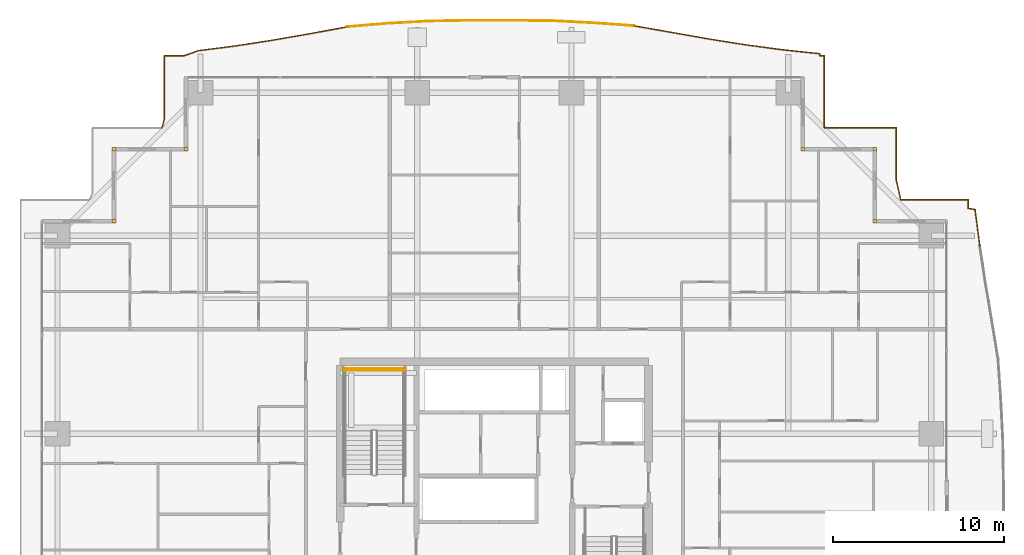
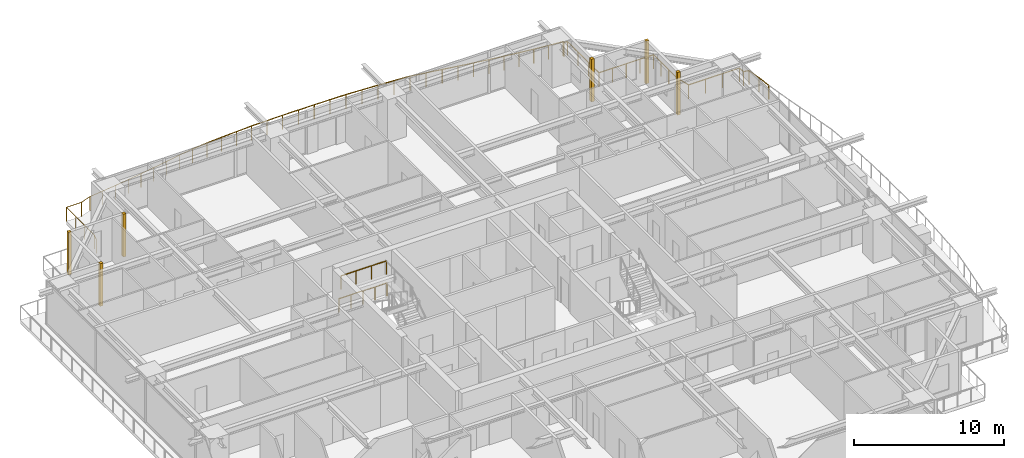
# One storey, part 37 of 37: 6 coverings, 6 railings.
"""IFC4 building model written with IfcOpenShell, lengths in metres."""

from ifc_helpers import new_model, si_unit, direction, frame, origin, origin_2d, place, context, subcontext, project, spatial, rectangle, circle, extrude, source, transform, mapped, material, layer, layer_set, type_object, element, save


model = new_model("IFC4")

# Units and contexts
model_context = context("Model", 3, precision=1e-05, world=origin(), true_north=direction((0.0, 1.0)))
body_context = subcontext(model_context, "Body", "Model", "MODEL_VIEW")
ifc_project = project(units=[si_unit("LENGTHUNIT", "METRE"), si_unit("AREAUNIT", "SQUARE_METRE"), si_unit("VOLUMEUNIT", "CUBIC_METRE"), si_unit("PLANEANGLEUNIT", "RADIAN"), si_unit("MASSUNIT", "GRAM", prefix="KILO")], contexts=[model_context])

# Site, building, storey
site_placement = place(None, origin())
site = spatial("IfcSite", under=ifc_project, at=site_placement, CompositionType="ELEMENT")
building_placement = place(site_placement, origin())
building = spatial("IfcBuilding", under=site, at=building_placement, Name="Serunith Strait Residences", CompositionType="ELEMENT")
storey_placement = place(building_placement, frame((0.0, 0.0, 34.199951171875)))
storey = spatial("IfcBuildingStorey", under=building, at=storey_placement, Name="L07", CompositionType="ELEMENT", Elevation=34.199951171875)

# Railings
ifc_material_1 = material(Name="Stainless Steel & Laminated Glass Balustrade", Category="steel")
railing_type_1 = type_object("IfcRailingType", Name="RLG-BALC-1150", PredefinedType="BALUSTRADE", material=ifc_material_1)
railing_1_placement = place(storey_placement, frame((13.00341796875, 47.260009765625, -0.050048828125)))
element("IfcRailing", 1, at=railing_1_placement, inside=storey, type_object=railing_type_1, Name="L07 Swirling Balcony Perimeter Balustrade 1", PredefinedType="BALUSTRADE", context=body_context, shape_type="SweptSolid", body=[
    extrude(circle(Radius=0.02392578125, at=origin_2d()), frame((0.00048828125, 0.001953125, 1.1259765625), z_axis=(0.256207487761, 0.966621809818, 0.0), x_axis=(-0.966621809818, 0.256207487761, 0.0)), (0.0, 0.0, 1.0), 0.528564453125),
    extrude(circle(Radius=0.02392578125, at=origin_2d()), frame((0.136474609375, 0.516845703125, 1.1259765625), z_axis=(0.0, 1.0, 0.0), x_axis=(-1.0, 0.0, 0.0)), (0.0, 0.0, 1.0), 3.68115234375),
    extrude(circle(Radius=0.02392578125, at=origin_2d()), frame((0.138427734375, 4.199951171875, 1.1259765625), z_axis=(1.0, 0.0, 0.0), x_axis=(0.0, 1.0, 0.0)), (0.0, 0.0, 1.0), 1.151123046875),
    extrude(circle(Radius=0.02392578125, at=origin_2d()), frame((1.29345703125, 4.20068359375, 1.1259765625), z_axis=(0.941439410602, 0.337182200251, 0.0), x_axis=(-0.337182200251, 0.941439410602, 0.0)), (0.0, 0.0, 1.0), 0.87353515625),
    extrude(circle(Radius=0.02392578125, at=origin_2d()), frame((2.11962890625, 4.49609375, 1.1259765625), z_axis=(0.992003367835, 0.126211402833, 0.0), x_axis=(-0.126211402833, 0.992003367835, 0.0)), (0.0, 0.0, 1.0), 2.135498046875),
    extrude(circle(Radius=0.02392578125, at=origin_2d()), frame((4.241943359375, 4.76611328125, 1.1259765625), z_axis=(0.988384727456, 0.151972466364, 0.0), x_axis=(-0.151972466364, 0.988384727456, 0.0)), (0.0, 0.0, 1.0), 2.16162109375),
    extrude(circle(Radius=0.02392578125, at=origin_2d()), frame((6.38232421875, 5.09521484375, 1.1259765625), z_axis=(0.985107764797, 0.171938046217, 0.0), x_axis=(-0.171938046217, 0.985107764797, 0.0)), (0.0, 0.0, 1.0), 2.205322265625),
    extrude(circle(Radius=0.02392578125, at=origin_2d()), frame((8.558837890625, 5.47509765625, 1.1259765625), z_axis=(0.983840647341, 0.179046308648, 0.0), x_axis=(-0.179046308648, 0.983840647341, 0.0)), (0.0, 0.0, 1.0), 2.266357421875),
    extrude(circle(Radius=0.02099609375, at=origin_2d()), origin(), (0.0, 0.0, 1.0), 1.099853515625),
    extrude(circle(Radius=0.02099609375, at=origin_2d()), frame((0.136474609375, 0.514892578125, 0.0)), (0.0, 0.0, 1.0), 1.099853515625),
    extrude(circle(Radius=0.02099609375, at=origin_2d()), frame((0.136474609375, 1.7431640625, 0.0)), (0.0, 0.0, 1.0), 1.099853515625),
    extrude(circle(Radius=0.02099609375, at=origin_2d()), frame((0.136474609375, 2.9716796875, 0.0)), (0.0, 0.0, 1.0), 1.099853515625),
    extrude(circle(Radius=0.02099609375, at=origin_2d()), frame((0.136474609375, 4.199951171875, 0.0)), (0.0, 0.0, 1.0), 1.099853515625),
    extrude(circle(Radius=0.02099609375, at=origin_2d()), frame((1.29150390625, 4.199951171875, 0.0)), (0.0, 0.0, 1.0), 1.099853515625),
    extrude(circle(Radius=0.02099609375, at=origin_2d()), frame((2.11767578125, 4.495849609375, 0.0)), (0.0, 0.0, 1.0), 1.099853515625),
    extrude(circle(Radius=0.02099609375, at=origin_2d()), frame((3.1787109375, 4.630859375, 0.0)), (0.0, 0.0, 1.0), 1.099853515625),
    extrude(circle(Radius=0.02099609375, at=origin_2d()), frame((4.239990234375, 4.765869140625, 0.0)), (0.0, 0.0, 1.0), 1.099853515625),
    extrude(circle(Radius=0.02099609375, at=origin_2d()), frame((5.31005859375, 4.930419921875, 0.0)), (0.0, 0.0, 1.0), 1.099853515625),
    extrude(circle(Radius=0.02099609375, at=origin_2d()), frame((6.38037109375, 5.094970703125, 0.0)), (0.0, 0.0, 1.0), 1.099853515625),
    extrude(circle(Radius=0.02099609375, at=origin_2d()), frame((7.46875, 5.284912109375, 0.0)), (0.0, 0.0, 1.0), 1.099853515625),
    extrude(circle(Radius=0.02099609375, at=origin_2d()), frame((8.556884765625, 5.474853515625, 0.0)), (0.0, 0.0, 1.0), 1.099853515625),
    extrude(circle(Radius=0.02099609375, at=origin_2d()), frame((9.673828125, 5.67822265625, 0.0)), (0.0, 0.0, 1.0), 1.099853515625),
    extrude(circle(Radius=0.02099609375, at=origin_2d()), frame((10.79052734375, 5.88134765625, 0.0)), (0.0, 0.0, 1.0), 1.099853515625),
])
railing_2_placement = place(storey_placement, frame((23.7939453125, 53.141357421875, -0.050048828125)))
element("IfcRailing", 2, at=railing_2_placement, inside=storey, type_object=railing_type_1, Name="L07 Swirling Balcony Perimeter Balustrade 2", PredefinedType="BALUSTRADE", context=body_context, shape_type="SweptSolid", body=[
    extrude(circle(Radius=0.02392578125, at=origin_2d()), frame((0.001953125, 0.000244140625, 1.1259765625), z_axis=(0.996370776715, 0.085119182962, 0.0), x_axis=(-0.085119182962, 0.996370776715, 0.0)), (0.0, 0.0, 1.0), 2.353759765625),
    extrude(circle(Radius=0.02392578125, at=origin_2d()), frame((2.35107421875, 0.20068359375, 1.1259765625), z_axis=(0.998480038069, 0.055114549597, 0.0), x_axis=(-0.055114549597, 0.998480038069, 0.0)), (0.0, 0.0, 1.0), 2.392578125),
    extrude(circle(Radius=0.02392578125, at=origin_2d()), frame((4.743896484375, 0.332763671875, 1.1259765625), z_axis=(0.999819958859, 0.018974980039, 0.0), x_axis=(-0.018974980039, 0.999819958859, 0.0)), (0.0, 0.0, 1.0), 2.414794921875),
    extrude(circle(Radius=0.02392578125, at=origin_2d()), frame((7.162353515625, 0.378662109375, 1.1259765625), z_axis=(1.0, 0.0, 0.0), x_axis=(0.0, 1.0, 0.0)), (0.0, 0.0, 1.0), 2.4248046875),
    extrude(circle(Radius=0.02392578125, at=origin_2d()), frame((9.591064453125, 0.378662109375, 1.1259765625), z_axis=(0.999937390621, -0.011189943579, 0.0), x_axis=(0.011189943579, 0.999937390621, 0.0)), (0.0, 0.0, 1.0), 2.417724609375),
    extrude(circle(Radius=0.02392578125, at=origin_2d()), frame((12.0126953125, 0.3515625, 1.1259765625), z_axis=(0.998712476955, -0.050728575529, 0.0), x_axis=(0.050728575529, 0.998712476955, 0.0)), (0.0, 0.0, 1.0), 2.3974609375),
    extrude(circle(Radius=0.02392578125, at=origin_2d()), frame((14.4111328125, 0.2294921875, 1.1259765625), z_axis=(0.997456608021, -0.07127632928, 0.0), x_axis=(0.07127632928, 0.997456608021, 0.0)), (0.0, 0.0, 1.0), 2.3662109375),
    extrude(circle(Radius=0.02099609375, at=origin_2d()), origin(), (0.0, 0.0, 1.0), 1.099853515625),
    extrude(circle(Radius=0.02099609375, at=origin_2d()), frame((1.174560546875, 0.100341796875, 0.0)), (0.0, 0.0, 1.0), 1.099853515625),
    extrude(circle(Radius=0.02099609375, at=origin_2d()), frame((2.34912109375, 0.20068359375, 0.0)), (0.0, 0.0, 1.0), 1.099853515625),
    extrude(circle(Radius=0.02099609375, at=origin_2d()), frame((3.54541015625, 0.2666015625, 0.0)), (0.0, 0.0, 1.0), 1.099853515625),
    extrude(circle(Radius=0.02099609375, at=origin_2d()), frame((4.741943359375, 0.332763671875, 0.0)), (0.0, 0.0, 1.0), 1.099853515625),
    extrude(circle(Radius=0.02099609375, at=origin_2d()), frame((5.951171875, 0.355712890625, 0.0)), (0.0, 0.0, 1.0), 1.099853515625),
    extrude(circle(Radius=0.02099609375, at=origin_2d()), frame((7.160400390625, 0.378662109375, 0.0)), (0.0, 0.0, 1.0), 1.099853515625),
    extrude(circle(Radius=0.02099609375, at=origin_2d()), frame((8.374755859375, 0.378662109375, 0.0)), (0.0, 0.0, 1.0), 1.099853515625),
    extrude(circle(Radius=0.02099609375, at=origin_2d()), frame((9.589111328125, 0.378662109375, 0.0)), (0.0, 0.0, 1.0), 1.099853515625),
    extrude(circle(Radius=0.02099609375, at=origin_2d()), frame((10.7998046875, 0.365234375, 0.0)), (0.0, 0.0, 1.0), 1.099853515625),
    extrude(circle(Radius=0.02099609375, at=origin_2d()), frame((12.0107421875, 0.3515625, 0.0)), (0.0, 0.0, 1.0), 1.099853515625),
    extrude(circle(Radius=0.02099609375, at=origin_2d()), frame((13.2099609375, 0.29052734375, 0.0)), (0.0, 0.0, 1.0), 1.099853515625),
    extrude(circle(Radius=0.02099609375, at=origin_2d()), frame((14.4091796875, 0.229736328125, 0.0)), (0.0, 0.0, 1.0), 1.099853515625),
    extrude(circle(Radius=0.02099609375, at=origin_2d()), frame((15.59130859375, 0.145263671875, 0.0)), (0.0, 0.0, 1.0), 1.099853515625),
    extrude(circle(Radius=0.02099609375, at=origin_2d()), frame((16.7734375, 0.060791015625, 0.0)), (0.0, 0.0, 1.0), 1.099853515625),
])
railing_3_placement = place(storey_placement, frame((40.5673828125, 53.2021484375, -0.050048828125)))
element("IfcRailing", 3, at=railing_3_placement, inside=storey, type_object=railing_type_1, Name="L07 Swirling Balcony Perimeter Balustrade 3", PredefinedType="BALUSTRADE", context=body_context, shape_type="SweptSolid", body=[
    extrude(circle(Radius=0.02392578125, at=origin_2d()), frame((0.001953125, -0.000244140625, 1.1259765625), z_axis=(0.985277557416, -0.170962378469, 0.0), x_axis=(0.170962378469, 0.985277557416, 0.0)), (0.0, 0.0, 1.0), 2.28076171875),
    extrude(circle(Radius=0.02392578125, at=origin_2d()), frame((2.253173828125, -0.390869140625, 1.1259765625), z_axis=(0.984653759187, -0.174519266901, 0.0), x_axis=(0.174519266901, 0.984653759187, 0.0)), (0.0, 0.0, 1.0), 2.216064453125),
    extrude(circle(Radius=0.02392578125, at=origin_2d()), frame((4.439208984375, -0.7783203125, 1.1259765625), z_axis=(0.987689049808, -0.156429987181, 0.0), x_axis=(0.156429987181, 0.987689049808, 0.0)), (0.0, 0.0, 1.0), 2.16845703125),
    extrude(circle(Radius=0.02392578125, at=origin_2d()), frame((6.5849609375, -1.1181640625, 1.1259765625), z_axis=(0.991337980419, -0.131335481032, 0.0), x_axis=(0.131335481032, 0.991337980419, 0.0)), (0.0, 0.0, 1.0), 2.139404296875),
    extrude(circle(Radius=0.02392578125, at=origin_2d()), frame((8.709716796875, -1.399658203125, 1.1259765625), z_axis=(0.994456969107, -0.105144360737, 0.0), x_axis=(0.105144360737, 0.994456969107, 0.0)), (0.0, 0.0, 1.0), 2.125244140625),
    extrude(circle(Radius=0.02392578125, at=origin_2d()), frame((10.8251953125, -1.625244140625, 1.1259765625), z_axis=(-0.006160047393, -0.999981026728, 0.0), x_axis=(0.999981026728, -0.006160047393, 0.0)), (0.0, 0.0, 1.0), 0.114990234375),
    extrude(circle(Radius=0.02392578125, at=origin_2d()), frame((10.826416015625, -1.7421875, 1.1259765625), z_axis=(1.0, 0.0, 0.0), x_axis=(0.0, 1.0, 0.0)), (0.0, 0.0, 1.0), 0.26416015625),
    extrude(circle(Radius=0.02392578125, at=origin_2d()), frame((11.092529296875, -1.744140625, 1.1259765625), z_axis=(0.0, -1.0, 0.0), x_axis=(1.0, 0.0, 0.0)), (0.0, 0.0, 1.0), 4.196044921875),
    extrude(circle(Radius=0.02099609375, at=origin_2d()), origin(), (0.0, 0.0, 1.0), 1.099853515625),
    extrude(circle(Radius=0.02099609375, at=origin_2d()), frame((1.12548828125, -0.1953125, 0.0)), (0.0, 0.0, 1.0), 1.099853515625),
    extrude(circle(Radius=0.02099609375, at=origin_2d()), frame((2.251220703125, -0.390625, 0.0)), (0.0, 0.0, 1.0), 1.099853515625),
    extrude(circle(Radius=0.02099609375, at=origin_2d()), frame((3.34423828125, -0.58447265625, 0.0)), (0.0, 0.0, 1.0), 1.099853515625),
    extrude(circle(Radius=0.02099609375, at=origin_2d()), frame((4.437255859375, -0.778076171875, 0.0)), (0.0, 0.0, 1.0), 1.099853515625),
    extrude(circle(Radius=0.02099609375, at=origin_2d()), frame((5.51025390625, -0.947998046875, 0.0)), (0.0, 0.0, 1.0), 1.099853515625),
    extrude(circle(Radius=0.02099609375, at=origin_2d()), frame((6.5830078125, -1.117919921875, 0.0)), (0.0, 0.0, 1.0), 1.099853515625),
    extrude(circle(Radius=0.02099609375, at=origin_2d()), frame((7.6455078125, -1.2587890625, 0.0)), (0.0, 0.0, 1.0), 1.099853515625),
    extrude(circle(Radius=0.02099609375, at=origin_2d()), frame((8.707763671875, -1.3994140625, 0.0)), (0.0, 0.0, 1.0), 1.099853515625),
    extrude(circle(Radius=0.02099609375, at=origin_2d()), frame((9.7666015625, -1.51123046875, 0.0)), (0.0, 0.0, 1.0), 1.099853515625),
    extrude(circle(Radius=0.02099609375, at=origin_2d()), frame((10.8251953125, -1.623291015625, 0.0)), (0.0, 0.0, 1.0), 1.099853515625),
    extrude(circle(Radius=0.02099609375, at=origin_2d()), frame((10.824462890625, -1.7421875, 0.0)), (0.0, 0.0, 1.0), 1.099853515625),
    extrude(circle(Radius=0.02099609375, at=origin_2d()), frame((11.092529296875, -1.7421875, 0.0)), (0.0, 0.0, 1.0), 1.099853515625),
    extrude(circle(Radius=0.02099609375, at=origin_2d()), frame((11.092529296875, -3.14208984375, 0.0)), (0.0, 0.0, 1.0), 1.099853515625),
    extrude(circle(Radius=0.02099609375, at=origin_2d()), frame((11.092529296875, -4.542236328125, 0.0)), (0.0, 0.0, 1.0), 1.099853515625),
    extrude(circle(Radius=0.02099609375, at=origin_2d()), frame((11.092529296875, -5.942138671875, 0.0)), (0.0, 0.0, 1.0), 1.099853515625),
])
railing_4_placement = place(storey_placement, frame((51.659912109375, 47.260009765625, -0.050048828125)))
element("IfcRailing", 4, at=railing_4_placement, inside=storey, type_object=railing_type_1, Name="L07 Swirling Balcony Perimeter Balustrade 4", PredefinedType="BALUSTRADE", context=body_context, shape_type="SweptSolid", body=[
    extrude(circle(Radius=0.02392578125, at=origin_2d()), frame((0.001953125, 0.0, 1.1259765625), z_axis=(1.0, 0.0, 0.0), x_axis=(0.0, 1.0, 0.0)), (0.0, 0.0, 1.0), 4.1962890625),
    extrude(circle(Radius=0.02392578125, at=origin_2d()), frame((4.2001953125, -0.001953125, 1.1259765625), z_axis=(0.0, -1.0, 0.0), x_axis=(1.0, 0.0, 0.0)), (0.0, 0.0, 1.0), 3.04638671875),
    extrude(circle(Radius=0.02392578125, at=origin_2d()), frame((4.20068359375, -3.05224609375, 1.1259765625), z_axis=(0.22275734566, -0.974873922594, 0.0), x_axis=(0.974873922594, 0.22275734566, 0.0)), (0.0, 0.0, 1.0), 1.17529296875),
    extrude(circle(Radius=0.02392578125, at=origin_2d()), frame((4.46484375, -4.199951171875, 1.1259765625), z_axis=(1.0, 0.0, 0.0), x_axis=(0.0, 1.0, 0.0)), (0.0, 0.0, 1.0), 3.933349609375),
    extrude(circle(Radius=0.02392578125, at=origin_2d()), frame((8.400146484375, -4.201904296875, 1.1259765625), z_axis=(0.0, -1.0, 0.0), x_axis=(1.0, 0.0, 0.0)), (0.0, 0.0, 1.0), 0.504150390625),
    extrude(circle(Radius=0.02392578125, at=origin_2d()), frame((8.402099609375, -4.708251953125, 1.1259765625), z_axis=(0.9872964163, -0.158889226702, 0.0), x_axis=(0.158889226702, 0.9872964163, 0.0)), (0.0, 0.0, 1.0), 0.398681640625),
    extrude(circle(Radius=0.02392578125, at=origin_2d()), frame((8.7978515625, -4.77392578125, 1.1259765625), z_axis=(0.12901816084, -0.991642230935, 0.0), x_axis=(0.991642230935, 0.12901816084, 0.0)), (0.0, 0.0, 1.0), 2.141845703125),
    extrude(circle(Radius=0.02099609375, at=origin_2d()), origin(), (0.0, 0.0, 1.0), 1.099853515625),
    extrude(circle(Radius=0.02099609375, at=origin_2d()), frame((1.050048828125, 0.0, 0.0)), (0.0, 0.0, 1.0), 1.099853515625),
    extrude(circle(Radius=0.02099609375, at=origin_2d()), frame((2.10009765625, 0.0, 0.0)), (0.0, 0.0, 1.0), 1.099853515625),
    extrude(circle(Radius=0.02099609375, at=origin_2d()), frame((3.150146484375, 0.0, 0.0)), (0.0, 0.0, 1.0), 1.099853515625),
    extrude(circle(Radius=0.02099609375, at=origin_2d()), frame((4.2001953125, 0.0, 0.0)), (0.0, 0.0, 1.0), 1.099853515625),
    extrude(circle(Radius=0.02099609375, at=origin_2d()), frame((4.2001953125, -1.016845703125, 0.0)), (0.0, 0.0, 1.0), 1.099853515625),
    extrude(circle(Radius=0.02099609375, at=origin_2d()), frame((4.2001953125, -2.033447265625, 0.0)), (0.0, 0.0, 1.0), 1.099853515625),
    extrude(circle(Radius=0.02099609375, at=origin_2d()), frame((4.2001953125, -3.05029296875, 0.0)), (0.0, 0.0, 1.0), 1.099853515625),
    extrude(circle(Radius=0.02099609375, at=origin_2d()), frame((4.462890625, -4.199951171875, 0.0)), (0.0, 0.0, 1.0), 1.099853515625),
    extrude(circle(Radius=0.02099609375, at=origin_2d()), frame((5.775390625, -4.199951171875, 0.0)), (0.0, 0.0, 1.0), 1.099853515625),
    extrude(circle(Radius=0.02099609375, at=origin_2d()), frame((7.087646484375, -4.199951171875, 0.0)), (0.0, 0.0, 1.0), 1.099853515625),
    extrude(circle(Radius=0.02099609375, at=origin_2d()), frame((8.400146484375, -4.199951171875, 0.0)), (0.0, 0.0, 1.0), 1.099853515625),
    extrude(circle(Radius=0.02099609375, at=origin_2d()), frame((8.400146484375, -4.7080078125, 0.0)), (0.0, 0.0, 1.0), 1.099853515625),
    extrude(circle(Radius=0.02099609375, at=origin_2d()), frame((8.797607421875, -4.77197265625, 0.0)), (0.0, 0.0, 1.0), 1.099853515625),
    extrude(circle(Radius=0.02099609375, at=origin_2d()), frame((8.93603515625, -5.8359375, 0.0)), (0.0, 0.0, 1.0), 1.099853515625),
    extrude(circle(Radius=0.02099609375, at=origin_2d()), frame((9.074462890625, -6.89990234375, 0.0)), (0.0, 0.0, 1.0), 1.099853515625),
])
ifc_material_2 = material(Name="Brushed stainless steel 316L", Category="steel")
railing_type_2 = type_object("IfcRailingType", Name="RLG-STAIR-GUARD", PredefinedType="BALUSTRADE", material=ifc_material_2)
railing_5_placement = place(storey_placement, frame((27.14990234375, 33.10009765625, 1.875)))
element("IfcRailing", 5, at=railing_5_placement, inside=storey, type_object=railing_type_2, Name="L07 ST-1 stair guard 5", PredefinedType="BALUSTRADE", context=body_context, shape_type="SweptSolid", body=[
    extrude(circle(Radius=0.02392578125, at=origin_2d()), frame((-0.001953125, 0.0, 1.076171875), z_axis=(-1.0, 0.0, 0.0), x_axis=(0.0, -1.0, 0.0)), (0.0, 0.0, 1.0), 3.49609375),
    extrude(circle(Radius=0.02099609375, at=origin_2d()), origin(), (0.0, 0.0, 1.0), 1.050048828125),
    extrude(circle(Radius=0.02099609375, at=origin_2d()), frame((-1.166748046875, 0.0, 0.0)), (0.0, 0.0, 1.0), 1.050048828125),
    extrude(circle(Radius=0.02099609375, at=origin_2d()), frame((-2.333251953125, 0.0, 0.0)), (0.0, 0.0, 1.0), 1.050048828125),
    extrude(circle(Radius=0.02099609375, at=origin_2d()), frame((-3.5, 0.0, 0.0)), (0.0, 0.0, 1.0), 1.050048828125),
])
railing_6_placement = place(storey_placement, frame((27.25, 33.199951171875, 0.0)))
element("IfcRailing", 6, at=railing_6_placement, inside=storey, type_object=railing_type_2, Name="L07 ST-1 stair guard 12", PredefinedType="BALUSTRADE", context=body_context, shape_type="SweptSolid", body=[
    extrude(circle(Radius=0.02392578125, at=origin_2d()), frame((-0.001953125, 0.0, 1.076171875), z_axis=(-1.0, 0.0, 0.0), x_axis=(0.0, -1.0, 0.0)), (0.0, 0.0, 1.0), 3.696044921875),
    extrude(circle(Radius=0.02099609375, at=origin_2d()), origin(), (0.0, 0.0, 1.0), 1.050048828125),
    extrude(circle(Radius=0.02099609375, at=origin_2d()), frame((-0.925048828125, 0.0, 0.0)), (0.0, 0.0, 1.0), 1.050048828125),
    extrude(circle(Radius=0.02099609375, at=origin_2d()), frame((-1.85009765625, 0.0, 0.0)), (0.0, 0.0, 1.0), 1.050048828125),
    extrude(circle(Radius=0.02099609375, at=origin_2d()), frame((-2.77490234375, 0.0, 0.0)), (0.0, 0.0, 1.0), 1.050048828125),
    extrude(circle(Radius=0.02099609375, at=origin_2d()), frame((-3.699951171875, 0.0, 0.0)), (0.0, 0.0, 1.0), 1.050048828125),
])

# Coverings
ifc_material_3 = material(Name="Pale-Champagne Anodised Aluminium", Category="aluminium")
ifc_layer = layer(ifc_material_3, 0.219970703125, Name="Pale-Champagne Anodised Aluminium")
ifc_layer_set = layer_set([ifc_layer], Name="Pale-Champagne Anodised Aluminium")
covering_type = type_object("IfcCoveringType", Name="COV-CORN-TRIM", PredefinedType="CLADDING", material=ifc_layer_set)
shared_shape = source(origin(), body_context, "Body", "SweptSolid", [
    extrude(rectangle(XDim=0.221923828125, YDim=0.221923828125, at=origin_2d()), origin(), (0.0, 0.0, 1.0), 3.47509765625),
])
for number, where, z_axis, x_axis, name in (
    (7, (54.60009765625, 41.800048828125, 0.0), (0.0, 0.0, 1.0), (1.0, 0.0, 0.0), "L07 Girih Serrated Corner Trim Post 07"),
    (8, (54.60009765625, 46.0, 0.0), (0.0, 0.0, 1.0), (1.0, 0.0, 0.0), "L07 Girih Serrated Corner Trim Post 08"),
    (9, (50.39990234375, 46.0, 0.0), (0.0, 0.0, 1.0), (1.0, 0.0, 0.0), "L07 Girih Serrated Corner Trim Post 09"),
    (10, (14.39990234375, 46.0, 0.0), (0.0, 0.0, 1.0), (1.0, 0.0, 0.0), "L07 Girih Serrated Corner Trim Post 12"),
    (11, (10.199951171875, 46.0, 0.0), (0.0, 0.0, 1.0), (1.0, 0.0, 0.0), "L07 Girih Serrated Corner Trim Post 13"),
    (12, (10.199951171875, 41.800048828125, 0.0), (0.0, 0.0, 1.0), (1.0, 0.0, 0.0), "L07 Girih Serrated Corner Trim Post 14"),
):
    element("IfcCovering", number, at=place(storey_placement, frame(where, z_axis=z_axis, x_axis=x_axis)), inside=storey, type_object=covering_type, Name=name, PredefinedType="CLADDING", context=body_context, shape_type="MappedRepresentation", body=[
        mapped(shared_shape, transform((0.0, 0.0, 0.0), scale=1.0)),
    ])

save(model, "model.ifc")
